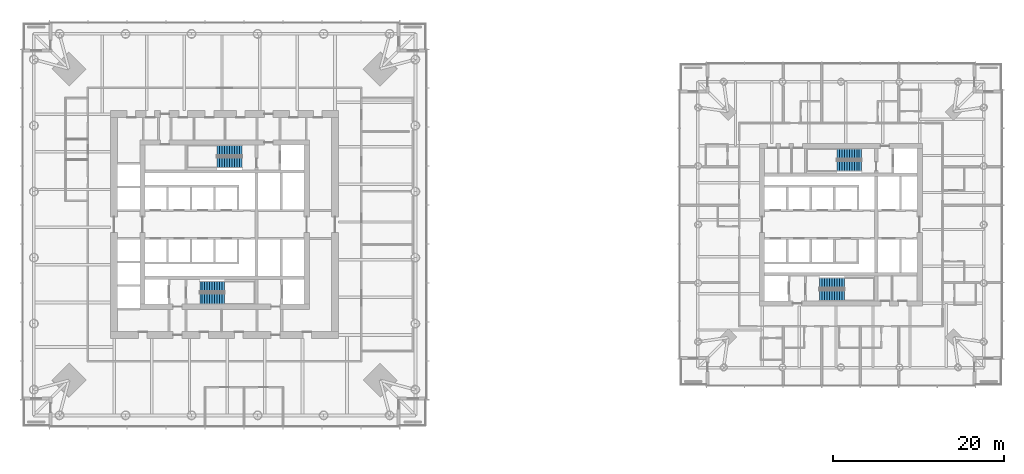
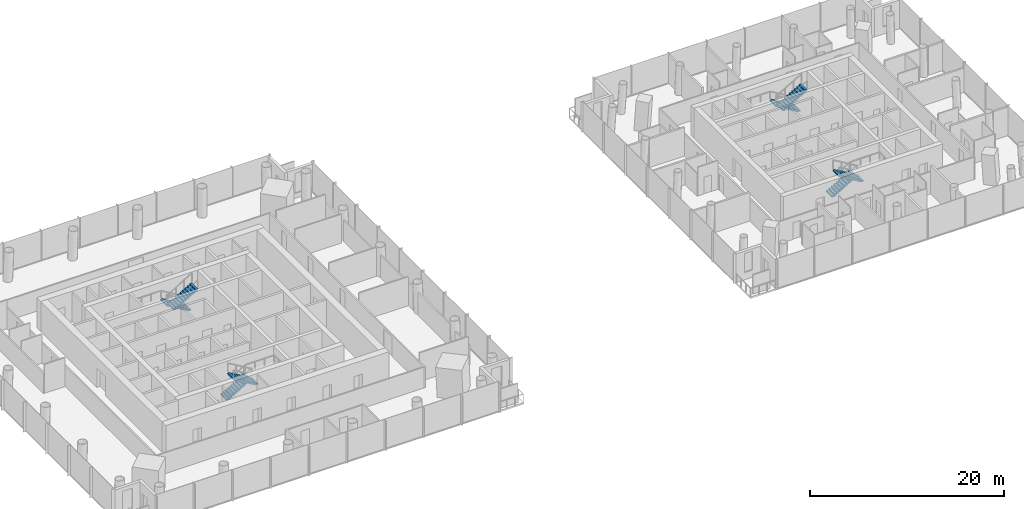
# One storey, part 16 of 18: 8 stair flights, 4 elements without a shape of their own.
"""IFC4 building model written with IfcOpenShell, lengths in metres."""

from ifc_helpers import new_model, si_unit, direction, frame, origin, place, context, subcontext, project, spatial, polyline, outline, extrude, material, type_object, element, aggregate, save


model = new_model("IFC4")

# Units and contexts
model_context = context("Model", 3, precision=1e-05, world=origin(), true_north=direction((0.0, 1.0)))
body_context = subcontext(model_context, "Body", "Model", "MODEL_VIEW")
ifc_project = project(units=[si_unit("LENGTHUNIT", "METRE"), si_unit("AREAUNIT", "SQUARE_METRE"), si_unit("VOLUMEUNIT", "CUBIC_METRE"), si_unit("PLANEANGLEUNIT", "RADIAN"), si_unit("MASSUNIT", "GRAM", prefix="KILO")], contexts=[model_context])

# Site, building, storey
site_placement = place(None, origin())
site = spatial("IfcSite", under=ifc_project, at=site_placement, CompositionType="ELEMENT")
building_placement = place(site_placement, origin())
building = spatial("IfcBuilding", under=site, at=building_placement, Name="Ostroluk Exchange", CompositionType="ELEMENT")
storey_placement = place(building_placement, frame((0.0, 0.0, 74.199951171875)))
storey = spatial("IfcBuildingStorey", under=building, at=storey_placement, Name="L18", CompositionType="ELEMENT", Elevation=74.199951171875)

# Stair, stair flights
ifc_material_1 = material(Name="Concrete C30/37", Category="concrete")
stair_type = type_object("IfcStairType", Name="Exit stair half turn 3800", PredefinedType="HALF_TURN_STAIR", material=ifc_material_1)
stair_1_placement = place(storey_placement, origin())
stair_1 = element("IfcStair", 1, at=stair_1_placement, inside=storey, type_object=stair_type, Name="Stair T1-S1 L18", PredefinedType="HALF_TURN_STAIR")
ifc_material_2 = material(Name="Concrete C30/37", Category="concrete")
stair_flight_type = type_object("IfcStairFlightType", Name="Stair flight 11 risers 172.7 x 290", PredefinedType="STRAIGHT", material=ifc_material_2)
stair_flight_1_placement = place(storey_placement, frame((42.10009765625, 38.77490234375, 0.0), z_axis=(0.0, 0.0, 1.0), x_axis=(1.0, 0.0, 0.0)))
stair_flight_1 = element("IfcStairFlight", 2, at=stair_flight_1_placement, type_object=stair_flight_type, Name="T1-S1 flight 1", NumberOfRisers=11, NumberOfTreads=10, PredefinedType="STRAIGHT", RiserHeight=0.172727273, TreadLength=0.29, context=body_context, shape_type="SweptSolid", body=[
    extrude(outline(polyline([(0.0, 0.0), (0.0, 0.172607421875), (0.2900390625, 0.172607421875), (0.2900390625, 0.345458984375), (0.580078125, 0.345458984375), (0.580078125, 0.51806640625), (0.8701171875, 0.51806640625), (0.8701171875, 0.69091796875), (1.159912109375, 0.69091796875), (1.159912109375, 0.863525390625), (1.449951171875, 0.863525390625), (1.449951171875, 1.036376953125), (1.739990234375, 1.036376953125), (1.739990234375, 1.208984375), (2.030029296875, 1.208984375), (2.030029296875, 1.3818359375), (2.320068359375, 1.3818359375), (2.320068359375, 1.554443359375), (2.610107421875, 1.554443359375), (2.610107421875, 1.727294921875), (2.89990234375, 1.727294921875), (2.89990234375, 1.89990234375), (2.89990234375, 1.552734375), (0.29296875, 0.0), (0.0, 0.0)])), frame((0.0, 0.625, 0.0), z_axis=(0.0, -1.0, 0.0), x_axis=(1.0, 0.0, 0.0)), (0.0, 0.0, 1.0), 1.25),
])
stair_flight_2_placement = place(storey_placement, frame((45.0, 37.324951171875, 1.900146484375), z_axis=(0.0, 0.0, 1.0), x_axis=(-1.0, 0.0, 0.0)))
stair_flight_2 = element("IfcStairFlight", 3, at=stair_flight_2_placement, type_object=stair_flight_type, Name="T1-S1 flight 2", NumberOfRisers=11, NumberOfTreads=10, PredefinedType="STRAIGHT", RiserHeight=0.172727273, TreadLength=0.29, context=body_context, shape_type="SweptSolid", body=[
    extrude(outline(polyline([(0.0, 0.0), (0.0, 0.172607421875), (0.2900390625, 0.172607421875), (0.2900390625, 0.345458984375), (0.580078125, 0.345458984375), (0.580078125, 0.51806640625), (0.8701171875, 0.51806640625), (0.8701171875, 0.69091796875), (1.159912109375, 0.69091796875), (1.159912109375, 0.863525390625), (1.449951171875, 0.863525390625), (1.449951171875, 1.036376953125), (1.739990234375, 1.036376953125), (1.739990234375, 1.208984375), (2.030029296875, 1.208984375), (2.030029296875, 1.3818359375), (2.320068359375, 1.3818359375), (2.320068359375, 1.554443359375), (2.610107421875, 1.554443359375), (2.610107421875, 1.727294921875), (2.89990234375, 1.727294921875), (2.89990234375, 1.89990234375), (2.89990234375, 1.552734375), (0.29296875, 0.0), (0.0, 0.0)])), frame((0.0, 0.625, 0.0), z_axis=(0.0, -1.0, 0.0), x_axis=(1.0, 0.0, 0.0)), (0.0, 0.0, 1.0), 1.25),
])
aggregate(stair_1, [stair_flight_1, stair_flight_2])

stair_2_placement = place(storey_placement, origin())
stair_2 = element("IfcStair", 4, at=stair_2_placement, inside=storey, type_object=stair_type, Name="Stair T1-S2 L18", PredefinedType="HALF_TURN_STAIR")
stair_flight_3_placement = place(storey_placement, frame((47.030029296875, 54.675048828125, 0.0), z_axis=(0.0, 0.0, 1.0), x_axis=(-1.0, 0.0, 0.0)))
stair_flight_3 = element("IfcStairFlight", 5, at=stair_flight_3_placement, type_object=stair_flight_type, Name="T1-S2 flight 1", NumberOfRisers=11, NumberOfTreads=10, PredefinedType="STRAIGHT", RiserHeight=0.172727273, TreadLength=0.29, context=body_context, shape_type="SweptSolid", body=[
    extrude(outline(polyline([(0.0, 0.0), (0.0, 0.172607421875), (0.2900390625, 0.172607421875), (0.2900390625, 0.345458984375), (0.580078125, 0.345458984375), (0.580078125, 0.51806640625), (0.8701171875, 0.51806640625), (0.8701171875, 0.69091796875), (1.159912109375, 0.69091796875), (1.159912109375, 0.863525390625), (1.449951171875, 0.863525390625), (1.449951171875, 1.036376953125), (1.739990234375, 1.036376953125), (1.739990234375, 1.208984375), (2.030029296875, 1.208984375), (2.030029296875, 1.3818359375), (2.320068359375, 1.3818359375), (2.320068359375, 1.554443359375), (2.610107421875, 1.554443359375), (2.610107421875, 1.727294921875), (2.89990234375, 1.727294921875), (2.89990234375, 1.89990234375), (2.89990234375, 1.552734375), (0.29296875, 0.0), (0.0, 0.0)])), frame((0.0, 0.625, 0.0), z_axis=(0.0, -1.0, 0.0), x_axis=(1.0, 0.0, 0.0)), (0.0, 0.0, 1.0), 1.25),
])
stair_flight_4_placement = place(storey_placement, frame((44.1298828125, 53.22509765625, 1.900146484375), z_axis=(0.0, 0.0, 1.0), x_axis=(1.0, 0.0, 0.0)))
stair_flight_4 = element("IfcStairFlight", 6, at=stair_flight_4_placement, type_object=stair_flight_type, Name="T1-S2 flight 2", NumberOfRisers=11, NumberOfTreads=10, PredefinedType="STRAIGHT", RiserHeight=0.172727273, TreadLength=0.29, context=body_context, shape_type="SweptSolid", body=[
    extrude(outline(polyline([(0.0, 0.0), (0.0, 0.172607421875), (0.2900390625, 0.172607421875), (0.2900390625, 0.345458984375), (0.580078125, 0.345458984375), (0.580078125, 0.51806640625), (0.8701171875, 0.51806640625), (0.8701171875, 0.69091796875), (1.159912109375, 0.69091796875), (1.159912109375, 0.863525390625), (1.449951171875, 0.863525390625), (1.449951171875, 1.036376953125), (1.739990234375, 1.036376953125), (1.739990234375, 1.208984375), (2.030029296875, 1.208984375), (2.030029296875, 1.3818359375), (2.320068359375, 1.3818359375), (2.320068359375, 1.554443359375), (2.610107421875, 1.554443359375), (2.610107421875, 1.727294921875), (2.89990234375, 1.727294921875), (2.89990234375, 1.89990234375), (2.89990234375, 1.552734375), (0.29296875, 0.0), (0.0, 0.0)])), frame((0.0, 0.625, 0.0), z_axis=(0.0, -1.0, 0.0), x_axis=(1.0, 0.0, 0.0)), (0.0, 0.0, 1.0), 1.25),
])
aggregate(stair_2, [stair_flight_3, stair_flight_4])

stair_3_placement = place(storey_placement, origin())
stair_3 = element("IfcStair", 7, at=stair_3_placement, inside=storey, type_object=stair_type, Name="Stair T2-S1 L18", PredefinedType="HALF_TURN_STAIR")
stair_flight_5_placement = place(storey_placement, frame((114.5, 39.175048828125, 0.0), z_axis=(0.0, 0.0, 1.0), x_axis=(1.0, 0.0, 0.0)))
stair_flight_5 = element("IfcStairFlight", 8, at=stair_flight_5_placement, type_object=stair_flight_type, Name="T2-S1 flight 1", NumberOfRisers=11, NumberOfTreads=10, PredefinedType="STRAIGHT", RiserHeight=0.172727273, TreadLength=0.29, context=body_context, shape_type="SweptSolid", body=[
    extrude(outline(polyline([(0.0, 0.0), (0.0, 0.172607421875), (0.2900390625, 0.172607421875), (0.2900390625, 0.345458984375), (0.580078125, 0.345458984375), (0.580078125, 0.51806640625), (0.8701171875, 0.51806640625), (0.8701171875, 0.69091796875), (1.159912109375, 0.69091796875), (1.159912109375, 0.863525390625), (1.449951171875, 0.863525390625), (1.449951171875, 1.036376953125), (1.739990234375, 1.036376953125), (1.739990234375, 1.208984375), (2.030029296875, 1.208984375), (2.030029296875, 1.3818359375), (2.320068359375, 1.3818359375), (2.320068359375, 1.554443359375), (2.610107421875, 1.554443359375), (2.610107421875, 1.727294921875), (2.89990234375, 1.727294921875), (2.89990234375, 1.89990234375), (2.89990234375, 1.552734375), (0.29296875, 0.0), (0.0, 0.0)])), frame((0.0, 0.625, 0.0), z_axis=(0.0, -1.0, 0.0), x_axis=(1.0, 0.0, 0.0)), (0.0, 0.0, 1.0), 1.25),
])
stair_flight_6_placement = place(storey_placement, frame((117.39990234375, 37.72509765625, 1.900146484375), z_axis=(0.0, 0.0, 1.0), x_axis=(-1.0, 0.0, 0.0)))
stair_flight_6 = element("IfcStairFlight", 9, at=stair_flight_6_placement, type_object=stair_flight_type, Name="T2-S1 flight 2", NumberOfRisers=11, NumberOfTreads=10, PredefinedType="STRAIGHT", RiserHeight=0.172727273, TreadLength=0.29, context=body_context, shape_type="SweptSolid", body=[
    extrude(outline(polyline([(0.0, 0.0), (0.0, 0.172607421875), (0.2900390625, 0.172607421875), (0.2900390625, 0.345458984375), (0.580078125, 0.345458984375), (0.580078125, 0.51806640625), (0.8701171875, 0.51806640625), (0.8701171875, 0.69091796875), (1.159912109375, 0.69091796875), (1.159912109375, 0.863525390625), (1.449951171875, 0.863525390625), (1.449951171875, 1.036376953125), (1.739990234375, 1.036376953125), (1.739990234375, 1.208984375), (2.030029296875, 1.208984375), (2.030029296875, 1.3818359375), (2.320068359375, 1.3818359375), (2.320068359375, 1.554443359375), (2.610107421875, 1.554443359375), (2.610107421875, 1.727294921875), (2.89990234375, 1.727294921875), (2.89990234375, 1.89990234375), (2.89990234375, 1.552734375), (0.29296875, 0.0), (0.0, 0.0)])), frame((0.0, 0.625, 0.0), z_axis=(0.0, -1.0, 0.0), x_axis=(1.0, 0.0, 0.0)), (0.0, 0.0, 1.0), 1.25),
])
aggregate(stair_3, [stair_flight_5, stair_flight_6])

stair_4_placement = place(storey_placement, origin())
stair_4 = element("IfcStair", 10, at=stair_4_placement, inside=storey, type_object=stair_type, Name="Stair T2-S2 L18", PredefinedType="HALF_TURN_STAIR")
stair_flight_7_placement = place(storey_placement, frame((119.429931640625, 54.27490234375, 0.0), z_axis=(0.0, 0.0, 1.0), x_axis=(-1.0, 0.0, 0.0)))
stair_flight_7 = element("IfcStairFlight", 11, at=stair_flight_7_placement, type_object=stair_flight_type, Name="T2-S2 flight 1", NumberOfRisers=11, NumberOfTreads=10, PredefinedType="STRAIGHT", RiserHeight=0.172727273, TreadLength=0.29, context=body_context, shape_type="SweptSolid", body=[
    extrude(outline(polyline([(0.0, 0.0), (0.0, 0.172607421875), (0.2900390625, 0.172607421875), (0.2900390625, 0.345458984375), (0.580078125, 0.345458984375), (0.580078125, 0.51806640625), (0.8701171875, 0.51806640625), (0.8701171875, 0.69091796875), (1.159912109375, 0.69091796875), (1.159912109375, 0.863525390625), (1.449951171875, 0.863525390625), (1.449951171875, 1.036376953125), (1.739990234375, 1.036376953125), (1.739990234375, 1.208984375), (2.030029296875, 1.208984375), (2.030029296875, 1.3818359375), (2.320068359375, 1.3818359375), (2.320068359375, 1.554443359375), (2.610107421875, 1.554443359375), (2.610107421875, 1.727294921875), (2.89990234375, 1.727294921875), (2.89990234375, 1.89990234375), (2.89990234375, 1.552734375), (0.29296875, 0.0), (0.0, 0.0)])), frame((0.0, 0.625, 0.0), z_axis=(0.0, -1.0, 0.0), x_axis=(1.0, 0.0, 0.0)), (0.0, 0.0, 1.0), 1.25),
])
stair_flight_8_placement = place(storey_placement, frame((116.530029296875, 52.824951171875, 1.900146484375), z_axis=(0.0, 0.0, 1.0), x_axis=(1.0, 0.0, 0.0)))
stair_flight_8 = element("IfcStairFlight", 12, at=stair_flight_8_placement, type_object=stair_flight_type, Name="T2-S2 flight 2", NumberOfRisers=11, NumberOfTreads=10, PredefinedType="STRAIGHT", RiserHeight=0.172727273, TreadLength=0.29, context=body_context, shape_type="SweptSolid", body=[
    extrude(outline(polyline([(0.0, 0.0), (0.0, 0.172607421875), (0.2900390625, 0.172607421875), (0.2900390625, 0.345458984375), (0.580078125, 0.345458984375), (0.580078125, 0.51806640625), (0.8701171875, 0.51806640625), (0.8701171875, 0.69091796875), (1.159912109375, 0.69091796875), (1.159912109375, 0.863525390625), (1.449951171875, 0.863525390625), (1.449951171875, 1.036376953125), (1.739990234375, 1.036376953125), (1.739990234375, 1.208984375), (2.030029296875, 1.208984375), (2.030029296875, 1.3818359375), (2.320068359375, 1.3818359375), (2.320068359375, 1.554443359375), (2.610107421875, 1.554443359375), (2.610107421875, 1.727294921875), (2.89990234375, 1.727294921875), (2.89990234375, 1.89990234375), (2.89990234375, 1.552734375), (0.29296875, 0.0), (0.0, 0.0)])), frame((0.0, 0.625, 0.0), z_axis=(0.0, -1.0, 0.0), x_axis=(1.0, 0.0, 0.0)), (0.0, 0.0, 1.0), 1.25),
])
aggregate(stair_4, [stair_flight_7, stair_flight_8])

save(model, "model.ifc")
